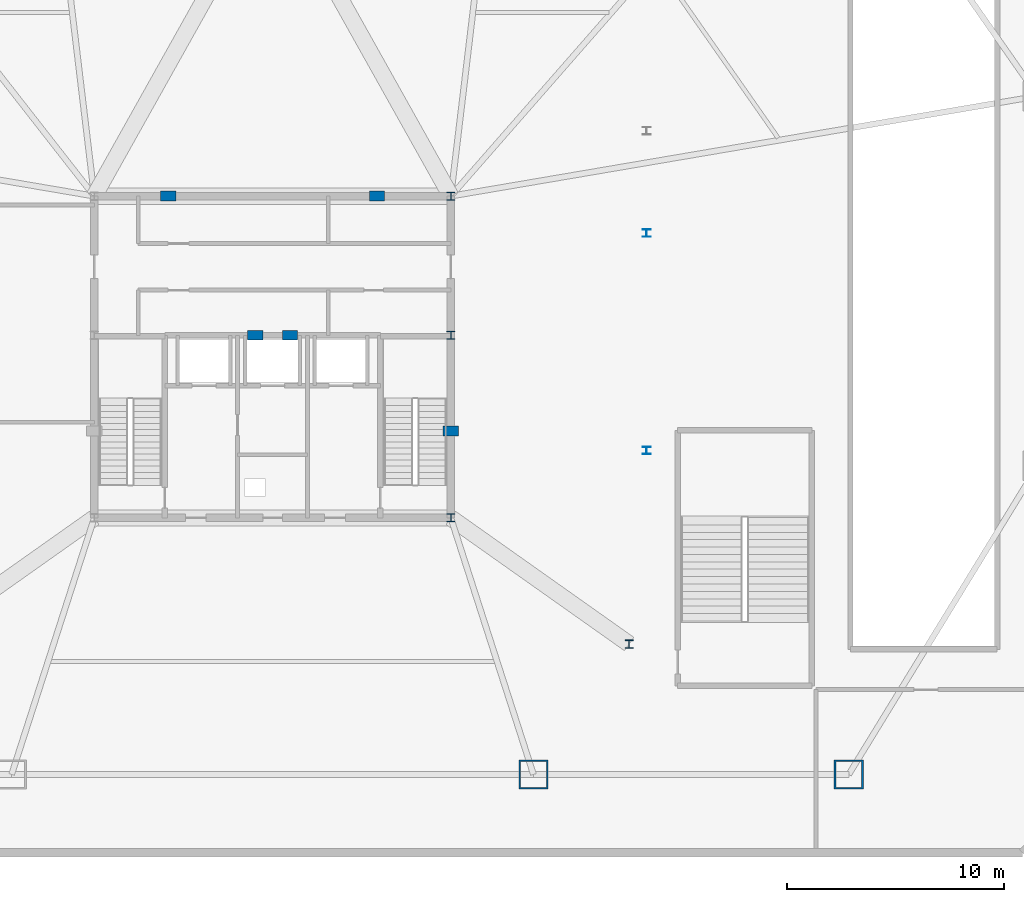
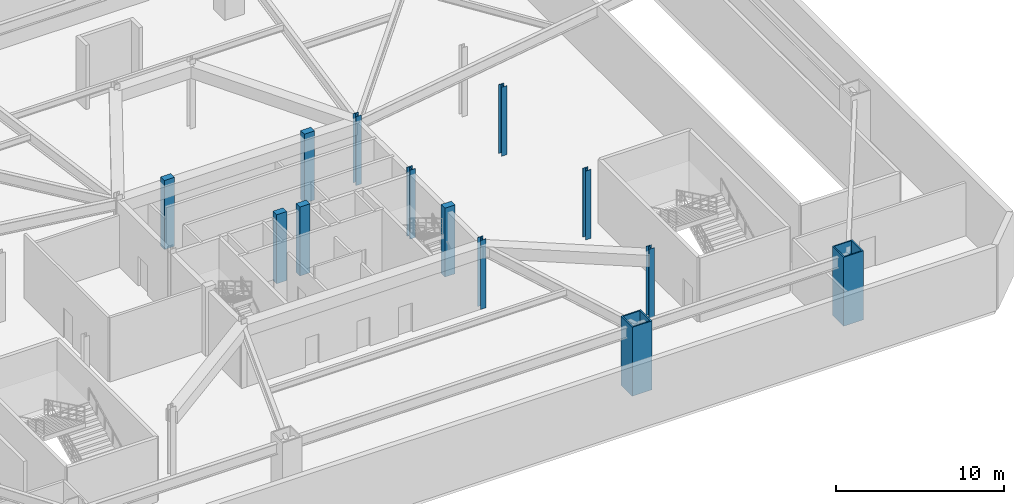
# One storey, part 2 of 9: 13 columns.
"""IFC4 building model written with IfcOpenShell, lengths in metres."""

import ifcopenshell
import ifcopenshell.guid

model = None  # the IFC model being written
_history = None  # IfcOwnerHistory: only IFC2X3 demands one
_inside = {}  # id of a spatial element -> (the spatial element, [elements in it])
_under = {}  # id of a project, library or spatial element -> (it, [spatial elements below it])
_declared = {}  # id of a project -> (the project, [libraries it declares])
_typed = {}  # id of a type object -> (the type object, [elements of that type])
_made_of = {}  # id of a material, layer set ... -> (it, [elements and type objects made of it])


def new_model(schema):
    """Start an empty IFC model of exactly this schema.

    Asked for "IFC4X3", IfcOpenShell would pick the latest addendum, in which some entities
    have other attributes; the version numbers below select the first issue.
    IFC2X3 requires an IfcOwnerHistory on every rooted entity: one is made here for all.
    """
    global model, _history
    if schema == "IFC4X3":
        model = ifcopenshell.file(schema_version=(4, 3, 0, 0))
    else:
        model = ifcopenshell.file(schema=schema)
    _inside.clear()
    _under.clear()
    _declared.clear()
    _typed.clear()
    _made_of.clear()
    _history = None
    if model.schema == "IFC2X3":
        org = make("IfcOrganization", Name="unknown")
        user = make(
            "IfcPersonAndOrganization",
            ThePerson=make("IfcPerson", FamilyName="unknown"),
            TheOrganization=org,
        )
        app = make(
            "IfcApplication",
            ApplicationDeveloper=org,
            Version="unknown",
            ApplicationFullName="unknown",
            ApplicationIdentifier="unknown",
        )
        _history = make(
            "IfcOwnerHistory",
            OwningUser=user,
            OwningApplication=app,
            ChangeAction="ADDED",
            CreationDate=0,
        )
    return model


def make(cls, **values):
    """One entity of the class cls with the attributes given. An attribute that is None is left unset."""
    return model.create_entity(
        cls, **{name: value for name, value in values.items() if value is not None}
    )


def rooted(cls, **values):
    """An entity with a GlobalId (a new one), such as an element, a storey or a relation."""
    return make(cls, GlobalId=ifcopenshell.guid.new(), OwnerHistory=_history, **values)


def si_unit(unit_type, name, prefix=None):
    """IfcSIUnit, for example si_unit("LENGTHUNIT", "METRE", prefix="MILLI")."""
    return make("IfcSIUnit", UnitType=unit_type, Prefix=prefix, Name=name)


def assignment(units):
    """IfcUnitAssignment: the units of a project."""
    return None if units is None else make("IfcUnitAssignment", Units=units)


def point(xyz):
    """IfcCartesianPoint."""
    return None if xyz is None else make("IfcCartesianPoint", Coordinates=xyz)


def direction(xyz):
    """IfcDirection."""
    return None if xyz is None else make("IfcDirection", DirectionRatios=xyz)


def frame(location, z_axis=None, x_axis=None):
    """IfcAxis2Placement3D, a coordinate frame: its origin and axes. An axis left out is left unset."""
    return make(
        "IfcAxis2Placement3D",
        Location=point(location),
        Axis=direction(z_axis),
        RefDirection=direction(x_axis),
    )


def frame_2d(location, x_axis=None):
    """IfcAxis2Placement2D, a coordinate frame in the plane: its origin and x axis."""
    return make(
        "IfcAxis2Placement2D", Location=point(location), RefDirection=direction(x_axis)
    )


def origin():
    """The frame at (0, 0, 0) with its axes left unset."""
    return frame((0.0, 0.0, 0.0))


def origin_2d():
    """The frame at (0, 0) in the plane with its x axis left unset."""
    return frame_2d((0.0, 0.0))


def place(relative_to, where):
    """IfcLocalPlacement: puts the frame where relative to a parent placement (None: the world)."""
    return make(
        "IfcLocalPlacement", PlacementRelTo=relative_to, RelativePlacement=where
    )


def context(
    kind, dimensions, precision=None, world=None, true_north=None, identifier=None
):
    """IfcGeometricRepresentationContext, for example the 3D "Model" context."""
    return make(
        "IfcGeometricRepresentationContext",
        ContextIdentifier=identifier,
        ContextType=kind,
        CoordinateSpaceDimension=dimensions,
        Precision=precision,
        WorldCoordinateSystem=world,
        TrueNorth=true_north,
    )


def subcontext(parent, identifier, kind, view, scale=None):
    """IfcGeometricRepresentationSubContext, for example "Body" below "Model"."""
    return make(
        "IfcGeometricRepresentationSubContext",
        ContextIdentifier=identifier,
        ContextType=kind,
        ParentContext=parent,
        TargetScale=scale,
        TargetView=view,
    )


def project(units=None, contexts=None):
    """IfcProject with its units and contexts."""
    return rooted(
        "IfcProject",
        Name="project",
        RepresentationContexts=contexts,
        UnitsInContext=assignment(units),
    )


def spatial(cls, under=None, at=None, **own):
    """A site, building, storey or space (cls), placed at a placement, below another one or the project."""
    s = rooted(cls, ObjectPlacement=at, **own)
    if under is not None:
        _under.setdefault(under.id(), (under, []))[1].append(s)
    return s


def profile(cls, at=None, kind="AREA", **sizes):
    """A parametric profile (cls). Its sizes go by their IFC names, for example OverallWidth=200.0."""
    return make(cls, ProfileType=kind, Position=at, **sizes)


def rectangle(**sizes):
    """IfcRectangleProfileDef."""
    return profile("IfcRectangleProfileDef", **sizes)


def hollow_rectangle(**sizes):
    """IfcRectangleHollowProfileDef."""
    return profile("IfcRectangleHollowProfileDef", **sizes)


def i_section(**sizes):
    """IfcIShapeProfileDef."""
    return profile("IfcIShapeProfileDef", **sizes)


def extrude(swept, where, along, depth):
    """IfcExtrudedAreaSolid: the profile swept, set in the frame where, extruded along a direction by depth."""
    return make(
        "IfcExtrudedAreaSolid",
        SweptArea=swept,
        Position=where,
        ExtrudedDirection=direction(along),
        Depth=depth,
    )


def shape(context_of_items, identifier, shape_type, items):
    """IfcShapeRepresentation: the items that make up one representation, for example the "Body"."""
    return make(
        "IfcShapeRepresentation",
        ContextOfItems=context_of_items,
        RepresentationIdentifier=identifier,
        RepresentationType=shape_type,
        Items=items,
    )


def material(Name=None, Category=None):
    """IfcMaterial."""
    return make("IfcMaterial", Name=Name, Category=Category)


def material_profile(
    of_material, cross_section, Name=None, Category=None, Priority=None
):
    """IfcMaterialProfile: a cross section and its material."""
    return make(
        "IfcMaterialProfile",
        Name=Name,
        Material=of_material,
        Profile=cross_section,
        Priority=Priority,
        Category=Category,
    )


def profile_set(profiles, Name=None, composite=None):
    """IfcMaterialProfileSet."""
    return make(
        "IfcMaterialProfileSet",
        Name=Name,
        MaterialProfiles=profiles,
        CompositeProfile=composite,
    )


def made_of(thing, what):
    """Note that an element or type object is made of a material, layer set ...; save() writes the relation."""
    if what is not None:
        _made_of.setdefault(what.id(), (what, []))[1].append(thing)
    return thing


def type_object(cls, material=None, **own):
    """A type object (cls), such as IfcWallType, which elements share."""
    return made_of(rooted(cls, **own), material)


def element(
    cls,
    number,
    at=None,
    inside=None,
    cuts=None,
    type_object=None,
    material=None,
    context=None,
    identifier="Body",
    shape_type=None,
    held_by="IfcProductDefinitionShape",
    body=None,
    shapes=None,
    **own,
):
    """One element of the class cls, such as IfcWall. Its Tag is "e" and its number.

    at: its placement. inside: the storey or other place that contains it. cuts: it is an
    opening in that element (IfcRelVoidsElement). A single representation is given by context,
    identifier, shape_type and body (its items); several are given by shapes. held_by: the class
    of the entity that holds the representations. save() writes the other relations.
    """
    e = rooted(cls, Tag="e%d" % number, ObjectPlacement=at, **own)
    if body is not None:
        shapes = [shape(context, identifier, shape_type, body)]
    if shapes is not None:
        e.Representation = make(held_by, Representations=shapes)
    if inside is not None:
        _inside.setdefault(inside.id(), (inside, []))[1].append(e)
    if cuts is not None:
        rooted(
            "IfcRelVoidsElement", RelatingBuildingElement=cuts, RelatedOpeningElement=e
        )
    if type_object is not None:
        _typed.setdefault(type_object.id(), (type_object, []))[1].append(e)
    return made_of(e, material)


def aggregate(whole, parts):
    """IfcRelAggregates: a whole, such as a stair, and the parts it consists of."""
    return rooted("IfcRelAggregates", RelatingObject=whole, RelatedObjects=parts)


def save(model, path):
    """Write the relations noted so far, then the file.

    IfcRelAggregates (storeys below a building ...), IfcRelContainedInSpatialStructure (elements
    in a storey), IfcRelDefinesByType, IfcRelAssociatesMaterial and IfcRelDeclares: one each for
    every whole, place, type object, material and project.
    """
    for whole, parts in _under.values():
        aggregate(whole, parts)
    for where, things in _inside.values():
        rooted(
            "IfcRelContainedInSpatialStructure",
            RelatedElements=things,
            RelatingStructure=where,
        )
    for kind, things in _typed.values():
        rooted("IfcRelDefinesByType", RelatedObjects=things, RelatingType=kind)
    for what, things in _made_of.values():
        rooted("IfcRelAssociatesMaterial", RelatedObjects=things, RelatingMaterial=what)
    for by, libraries in _declared.values():
        rooted("IfcRelDeclares", RelatingContext=by, RelatedDefinitions=libraries)
    model.write(path)


model = new_model("IFC4")

# Units and contexts
model_context = context("Model", 3, precision=1e-05, world=origin(), true_north=direction((0.0, 1.0)))
body_context = subcontext(model_context, "Body", "Model", "MODEL_VIEW")
ifc_project = project(units=[si_unit("LENGTHUNIT", "METRE"), si_unit("AREAUNIT", "SQUARE_METRE"), si_unit("VOLUMEUNIT", "CUBIC_METRE"), si_unit("PLANEANGLEUNIT", "RADIAN"), si_unit("MASSUNIT", "GRAM", prefix="KILO")], contexts=[model_context])

# Site, building, storey
site_placement = place(None, origin())
site = spatial("IfcSite", under=ifc_project, at=site_placement, CompositionType="ELEMENT")
building_placement = place(site_placement, origin())
building = spatial("IfcBuilding", under=site, at=building_placement, Name="Varakhsha Concourse Tower", CompositionType="ELEMENT")
storey_placement = place(building_placement, frame((0.0, 0.0, -5.0)))
storey = spatial("IfcBuildingStorey", under=building, at=storey_placement, Name="B01", CompositionType="ELEMENT", Elevation=-5.0)

# Columns
ifc_material_1 = material(Name="Structural Steel ASTM A992 Grade 50", Category="steel")
ifc_material_profile_1 = material_profile(ifc_material_1, i_section(OverallWidth=0.3740234375, OverallDepth=0.3720703125, WebThickness=0.01611328125, FlangeThickness=0.02587890625, at=origin_2d()), Name="W14X132")
ifc_profile_set_1 = profile_set([ifc_material_profile_1], Name="Structural Steel ASTM A992 Grade 50")
column_type_1 = type_object("IfcColumnType", Name="CL-CORE-W14X132", PredefinedType="COLUMN", material=ifc_profile_set_1)
for number, where, z_axis, x_axis, name in (
    (1, (48.199951171875, 16.39990234375, 0.0), (0.0, 0.0, 1.0), (1.0, 0.0, 0.0), "B01 Core Column CC-SE"),
    (2, (48.199951171875, 24.800048828125, 0.0), (0.0, 0.0, 1.0), (1.0, 0.0, 0.0), "B01 Core Column CC-ME"),
    (3, (48.199951171875, 31.199951171875, 0.0), (0.0, 0.0, 1.0), (1.0, 0.0, 0.0), "B01 Core Column CC-NE"),
    (4, (56.39990234375, 10.60009765625, 0.0), (0.0, 0.0, 1.0), (1.0, 0.0, 0.0), "B01 Core Column SS-E"),
):
    element("IfcColumn", number, at=place(storey_placement, frame(where, z_axis=z_axis, x_axis=x_axis)), inside=storey, type_object=column_type_1, Name=name, PredefinedType="COLUMN", context=body_context, shape_type="SweptSolid", body=[
        extrude(i_section(OverallWidth=0.3740234375, OverallDepth=0.3720703125, WebThickness=0.01611328125, FlangeThickness=0.02587890625, at=origin_2d()), origin(), (0.0, 0.0, 1.0), 5.0),
    ])
ifc_material_2 = material(Name="Concrete fc 65 MPa", Category="concrete")
ifc_material_profile_2 = material_profile(ifc_material_2, rectangle(XDim=0.699951171875, YDim=0.449951171875, at=origin_2d()), Name="RC 700x450")
ifc_profile_set_2 = profile_set([ifc_material_profile_2], Name="Concrete fc 65 MPa")
column_type_2 = type_object("IfcColumnType", Name="CL-PIL-700X450", PredefinedType="PILASTER", material=ifc_profile_set_2)
for number, where, z_axis, x_axis, name in (
    (5, (48.199951171875, 20.39990234375, 0.0), (0.0, 0.0, 1.0), (1.0, 0.0, 0.0), "B01 Core Boundary Pilaster PIL-E1"),
    (6, (35.199951171875, 31.199951171875, 0.0), (0.0, 0.0, 1.0), (1.0, 0.0, 0.0), "B01 Core Boundary Pilaster PIL-N1"),
    (7, (44.800048828125, 31.199951171875, 0.0), (0.0, 0.0, 1.0), (1.0, 0.0, 0.0), "B01 Core Boundary Pilaster PIL-N2"),
    (8, (39.199951171875, 24.800048828125, 0.0), (0.0, 0.0, 1.0), (1.0, 0.0, 0.0), "B01 Core Boundary Pilaster PIL-M1"),
    (9, (40.800048828125, 24.800048828125, 0.0), (0.0, 0.0, 1.0), (1.0, 0.0, 0.0), "B01 Core Boundary Pilaster PIL-M2"),
):
    element("IfcColumn", number, at=place(storey_placement, frame(where, z_axis=z_axis, x_axis=x_axis)), inside=storey, type_object=column_type_2, Name=name, PredefinedType="PILASTER", context=body_context, shape_type="SweptSolid", body=[
        extrude(rectangle(XDim=0.699951171875, YDim=0.449951171875, at=origin_2d()), origin(), (0.0, 0.0, 1.0), 5.0),
    ])
ifc_material_profile_3 = material_profile(ifc_material_1, i_section(OverallWidth=0.368896484375, OverallDepth=0.35595703125, WebThickness=0.010986328125, FlangeThickness=0.01806640625, at=origin_2d()), Name="W14X90")
ifc_profile_set_3 = profile_set([ifc_material_profile_3], Name="Structural Steel ASTM A992 Grade 50")
column_type_3 = type_object("IfcColumnType", Name="CL-POD-W14X90", PredefinedType="COLUMN", material=ifc_profile_set_3)
for number, where, z_axis, x_axis, name in (
    (10, (57.199951171875, 19.5, 0.0), (0.0, 0.0, 1.0), (1.0, 0.0, 0.0), "B01 Substructure Column AUX-E1"),
    (11, (57.199951171875, 29.5, 0.0), (0.0, 0.0, 1.0), (1.0, 0.0, 0.0), "B01 Substructure Column AUX-E2"),
):
    element("IfcColumn", number, at=place(storey_placement, frame(where, z_axis=z_axis, x_axis=x_axis)), inside=storey, type_object=column_type_3, Name=name, PredefinedType="COLUMN", context=body_context, shape_type="SweptSolid", body=[
        extrude(i_section(OverallWidth=0.368896484375, OverallDepth=0.35595703125, WebThickness=0.010986328125, FlangeThickness=0.01806640625, at=origin_2d()), origin(), (0.0, 0.0, 1.0), 5.0),
    ])
ifc_material_3 = material(Name="Structural Steel ASTM A572 Grade 50", Category="steel")
ifc_material_profile_4 = material_profile(ifc_material_3, hollow_rectangle(XDim=1.35009765625, YDim=1.35009765625, WallThickness=0.0849609375, at=origin_2d()), Name="BOX 1350x1350x85")
ifc_profile_set_4 = profile_set([ifc_material_profile_4], Name="Structural Steel ASTM A572 Grade 50")
column_type_4 = type_object("IfcColumnType", Name="CL-STILT-1350", PredefinedType="COLUMN", material=ifc_profile_set_4)
for number, where, z_axis, x_axis, name in (
    (12, (52.0, 4.60009765625, 0.0), (0.0, 0.0, 1.0), (1.0, 0.0, 0.0), "B01 Podium Mega-Column PC-S3"),
    (13, (66.5, 4.60009765625, 0.0), (0.0, 0.0, 1.0), (1.0, 0.0, 0.0), "B01 Podium Mega-Column PC-S4"),
):
    element("IfcColumn", number, at=place(storey_placement, frame(where, z_axis=z_axis, x_axis=x_axis)), inside=storey, type_object=column_type_4, Name=name, PredefinedType="COLUMN", context=body_context, shape_type="SweptSolid", body=[
        extrude(hollow_rectangle(XDim=1.35009765625, YDim=1.35009765625, WallThickness=0.0849609375, at=origin_2d()), origin(), (0.0, 0.0, 1.0), 5.0),
    ])

save(model, "model.ifc")
